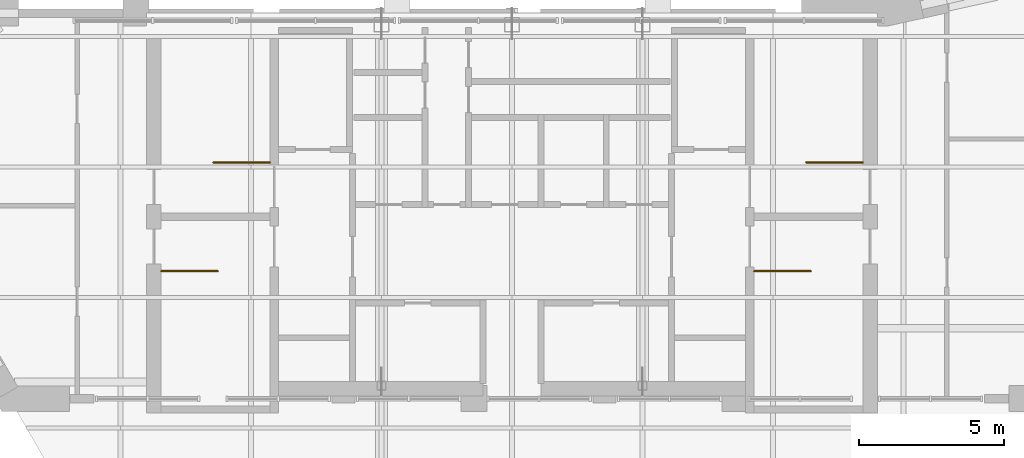
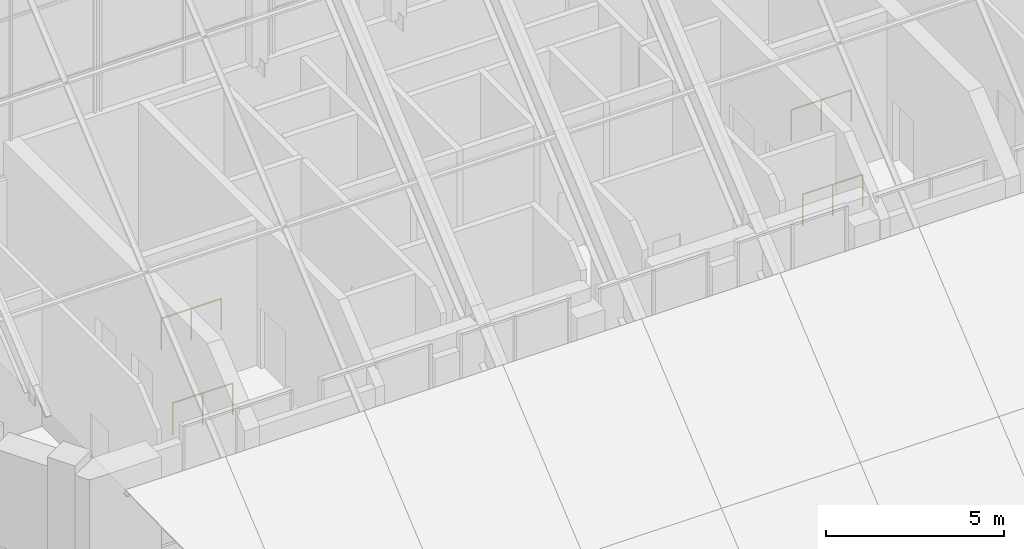
# One storey, part 19 of 19: 4 railings.
"""IFC4 building model written with IfcOpenShell, lengths in metres."""

from ifc_helpers import new_model, si_unit, direction, frame, origin, origin_2d, place, context, subcontext, project, spatial, circle, extrude, material, type_object, element, save


model = new_model("IFC4")

# Units and contexts
model_context = context("Model", 3, precision=1e-05, world=origin(), true_north=direction((0.0, 1.0)))
body_context = subcontext(model_context, "Body", "Model", "MODEL_VIEW")
ifc_project = project(units=[si_unit("LENGTHUNIT", "METRE"), si_unit("AREAUNIT", "SQUARE_METRE"), si_unit("VOLUMEUNIT", "CUBIC_METRE"), si_unit("PLANEANGLEUNIT", "RADIAN"), si_unit("MASSUNIT", "GRAM", prefix="KILO")], contexts=[model_context])

# Site, building, storey
site_placement = place(None, origin())
site = spatial("IfcSite", under=ifc_project, at=site_placement, CompositionType="ELEMENT")
building_placement = place(site_placement, origin())
building = spatial("IfcBuilding", under=site, at=building_placement, Name="Calabash Gate Tower", CompositionType="ELEMENT")
storey_placement = place(building_placement, frame((0.0, 0.0, 335.5)))
storey = spatial("IfcBuildingStorey", under=building, at=storey_placement, Name="L78", CompositionType="ELEMENT", Elevation=335.5)

# Railings
ifc_material = material(Name="Black powder-coated steel balusters", Category="steel")
railing_type = type_object("IfcRailingType", Name="Stair guard RL1100", PredefinedType="GUARDRAIL", material=ifc_material)
railing_1_placement = place(storey_placement, frame((-8.35009765625, 13.902587890625, 0.0)))
element("IfcRailing", 1, at=railing_1_placement, inside=storey, type_object=railing_type, Name="L78 ST1 top well guard 1", PredefinedType="GUARDRAIL", context=body_context, shape_type="SweptSolid", body=[
    extrude(circle(Radius=0.02392578125, at=origin_2d()), frame((0.0, 0.0, 1.076171875), z_axis=(-1.0, 0.0, 0.0), x_axis=(0.0, -1.0, 0.0)), (0.0, 0.0, 1.0), 1.949951171875),
    extrude(circle(Radius=0.02099609375, at=origin_2d()), origin(), (0.0, 0.0, 1.0), 1.052001953125),
    extrude(circle(Radius=0.02099609375, at=origin_2d()), frame((-0.97509765625, 0.0, 0.0)), (0.0, 0.0, 1.0), 1.052001953125),
    extrude(circle(Radius=0.02099609375, at=origin_2d()), frame((-1.949951171875, 0.0, 0.0)), (0.0, 0.0, 1.0), 1.052001953125),
])
railing_2_placement = place(storey_placement, frame((-12.10009765625, 10.152587890625, 0.0)))
element("IfcRailing", 2, at=railing_2_placement, inside=storey, type_object=railing_type, Name="L78 ST2 top well guard 1", PredefinedType="GUARDRAIL", context=body_context, shape_type="SweptSolid", body=[
    extrude(circle(Radius=0.02392578125, at=origin_2d()), frame((0.0, 0.0, 1.076171875), z_axis=(1.0, 0.0, 0.0), x_axis=(0.0, 1.0, 0.0)), (0.0, 0.0, 1.0), 1.9501953125),
    extrude(circle(Radius=0.02099609375, at=origin_2d()), origin(), (0.0, 0.0, 1.0), 1.052001953125),
    extrude(circle(Radius=0.02099609375, at=origin_2d()), frame((0.97509765625, 0.0, 0.0)), (0.0, 0.0, 1.0), 1.052001953125),
    extrude(circle(Radius=0.02099609375, at=origin_2d()), frame((1.9501953125, 0.0, 0.0)), (0.0, 0.0, 1.0), 1.052001953125),
])
railing_3_placement = place(storey_placement, frame((12.10009765625, 13.902587890625, 0.0)))
element("IfcRailing", 3, at=railing_3_placement, inside=storey, type_object=railing_type, Name="L78 ST3 top well guard 1", PredefinedType="GUARDRAIL", context=body_context, shape_type="SweptSolid", body=[
    extrude(circle(Radius=0.02392578125, at=origin_2d()), frame((0.0, 0.0, 1.076171875), z_axis=(-1.0, 0.0, 0.0), x_axis=(0.0, -1.0, 0.0)), (0.0, 0.0, 1.0), 1.9501953125),
    extrude(circle(Radius=0.02099609375, at=origin_2d()), origin(), (0.0, 0.0, 1.0), 1.052001953125),
    extrude(circle(Radius=0.02099609375, at=origin_2d()), frame((-0.97509765625, 0.0, 0.0)), (0.0, 0.0, 1.0), 1.052001953125),
    extrude(circle(Radius=0.02099609375, at=origin_2d()), frame((-1.9501953125, 0.0, 0.0)), (0.0, 0.0, 1.0), 1.052001953125),
])
railing_4_placement = place(storey_placement, frame((8.35009765625, 10.152587890625, 0.0)))
element("IfcRailing", 4, at=railing_4_placement, inside=storey, type_object=railing_type, Name="L78 ST4 top well guard 1", PredefinedType="GUARDRAIL", context=body_context, shape_type="SweptSolid", body=[
    extrude(circle(Radius=0.02392578125, at=origin_2d()), frame((0.0, 0.0, 1.076171875), z_axis=(1.0, 0.0, 0.0), x_axis=(0.0, 1.0, 0.0)), (0.0, 0.0, 1.0), 1.949951171875),
    extrude(circle(Radius=0.02099609375, at=origin_2d()), origin(), (0.0, 0.0, 1.0), 1.052001953125),
    extrude(circle(Radius=0.02099609375, at=origin_2d()), frame((0.97509765625, 0.0, 0.0)), (0.0, 0.0, 1.0), 1.052001953125),
    extrude(circle(Radius=0.02099609375, at=origin_2d()), frame((1.949951171875, 0.0, 0.0)), (0.0, 0.0, 1.0), 1.052001953125),
])

save(model, "model.ifc")
